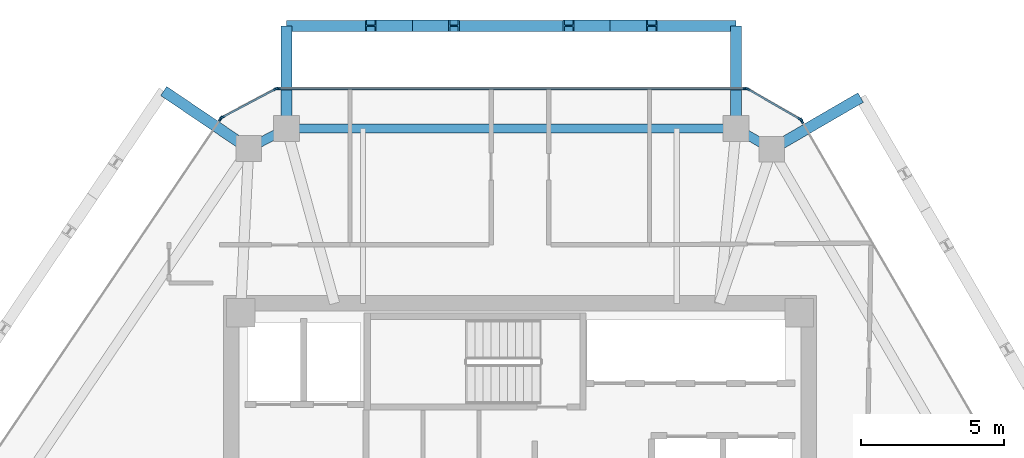
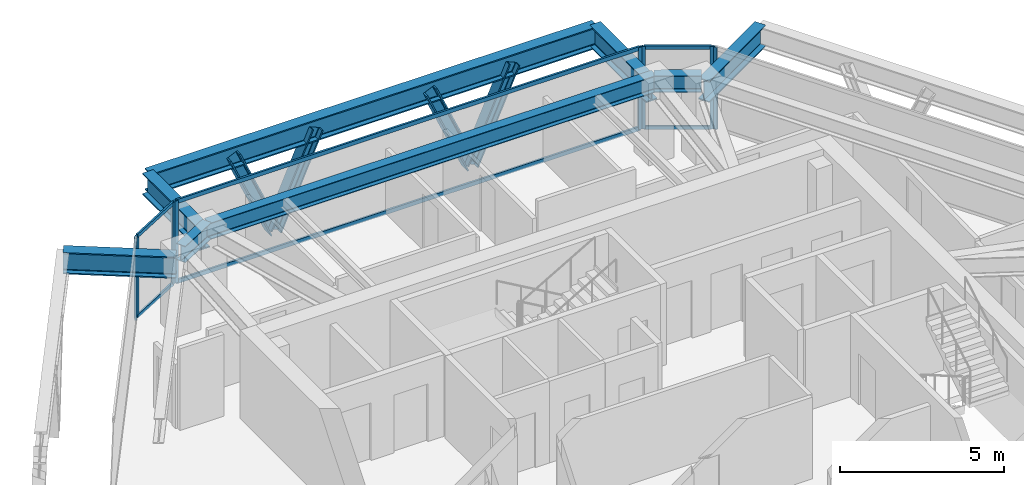
# One storey, part 6 of 11: 18 members, 8 beams, 5 elements without a shape of their own.
"""IFC4 building model written with IfcOpenShell, lengths in metres."""

from ifc_helpers import new_model, si_unit, direction, frame, origin, origin_2d, place, context, subcontext, project, spatial, rectangle, i_section, extrude, source, transform, mapped, material, layer, layer_set, material_profile, profile_set, type_object, type_shapes, element, aggregate, save


model = new_model("IFC4")

# Units and contexts
model_context = context("Model", 3, precision=1e-05, world=origin(), true_north=direction((0.0, 1.0)))
body_context = subcontext(model_context, "Body", "Model", "MODEL_VIEW")
ifc_project = project(units=[si_unit("LENGTHUNIT", "METRE"), si_unit("AREAUNIT", "SQUARE_METRE"), si_unit("VOLUMEUNIT", "CUBIC_METRE"), si_unit("PLANEANGLEUNIT", "RADIAN"), si_unit("MASSUNIT", "GRAM", prefix="KILO")], contexts=[model_context])

# Site, building, storey
site_placement = place(None, origin())
site = spatial("IfcSite", under=ifc_project, at=site_placement, CompositionType="ELEMENT")
building_placement = place(site_placement, origin())
building = spatial("IfcBuilding", under=site, at=building_placement, Name="Durnholm Broadcast Tower", CompositionType="ELEMENT")
storey_placement = place(building_placement, frame((0.0, 0.0, 231.5)))
storey = spatial("IfcBuildingStorey", under=building, at=storey_placement, Name="L64", CompositionType="ELEMENT", Elevation=231.5)

# Beams
ifc_material_1 = material(Name="Steel ASTM A992 Grade 50", Category="steel")
ifc_material_profile_1 = material_profile(ifc_material_1, i_section(OverallWidth=0.385009765625, OverallDepth=0.802978515625, WebThickness=0.023681640625, FlangeThickness=0.0419921875, FilletRadius=0.032958984375, at=origin_2d()), Name="W30X261")
ifc_profile_set_1 = profile_set([ifc_material_profile_1], Name="Steel ASTM A992 Grade 50")
beam_type_1 = type_object("IfcBeamType", Name="BM-EXO-TIE", PredefinedType="USERDEFINED", material=ifc_profile_set_1)
shared_shape_1 = source(origin(), body_context, "Body", "SweptSolid", [
    extrude(i_section(OverallWidth=0.385009765625, OverallDepth=0.802978515625, WebThickness=0.023681640625, FlangeThickness=0.0419921875, FilletRadius=0.032958984375, at=origin_2d()), origin(), (0.0, 0.0, 1.0), 3.4560546875),
])
for number, where, z_axis, x_axis, name in (
    (1, (7.57958984375, 14.406005859375, 2.30859375), (0.0, 1.0, 0.0), (-1.0, 0.0, 0.0), "L64 exoskeleton stand-off tie bracket F4.1"),
    (2, (-8.187744140625, 14.406005859375, 2.30859375), (0.0, 1.0, 0.0), (-1.0, 0.0, 0.0), "L64 exoskeleton stand-off tie bracket F4.2"),
):
    element("IfcBeam", number, at=place(storey_placement, frame(where, z_axis=z_axis, x_axis=x_axis)), inside=storey, type_object=beam_type_1, Name=name, ObjectType="GIRDER", PredefinedType="USERDEFINED", context=body_context, shape_type="MappedRepresentation", body=[
        mapped(shared_shape_1, transform((0.0, 0.0, 0.0), x_axis=(1.0, 0.0, 0.0), y_axis=(0.0, 1.0, 0.0), z_axis=(0.0, 0.0, 1.0), scale=1.0)),
    ])
shared_shape_2 = source(origin(), body_context, "Body", "SweptSolid", [
    extrude(i_section(OverallWidth=0.385009765625, OverallDepth=0.802978515625, WebThickness=0.023681640625, FlangeThickness=0.0419921875, FilletRadius=0.032958984375, at=origin_2d()), origin(), (0.0, 0.0, 1.0), 3.455810546875),
])
for number, where, z_axis, x_axis, name in (
    (3, (8.9619140625, 13.610107421875, 2.30859375), (0.864906682814, 0.501932694715, 0.0), (-0.501932694715, 0.864906682814, 0.0), "L64 exoskeleton stand-off tie bracket F3.2"),
    (4, (-9.63427734375, 13.637939453125, 2.30859375), (-0.828446342252, 0.560068440469, 0.0), (-0.560068440469, -0.828446342252, 0.0), "L64 exoskeleton stand-off tie bracket F5.1"),
):
    element("IfcBeam", number, at=place(storey_placement, frame(where, z_axis=z_axis, x_axis=x_axis)), inside=storey, type_object=beam_type_1, Name=name, ObjectType="GIRDER", PredefinedType="USERDEFINED", context=body_context, shape_type="MappedRepresentation", body=[
        mapped(shared_shape_2, transform((0.0, 0.0, 0.0), x_axis=(1.0, 0.0, 0.0), y_axis=(0.0, 1.0, 0.0), z_axis=(0.0, 0.0, 1.0), scale=1.0)),
    ])
ifc_material_profile_2 = material_profile(ifc_material_1, i_section(OverallWidth=0.3251953125, OverallDepth=0.6162109375, WebThickness=0.013916015625, FlangeThickness=0.021484375, FilletRadius=0.02783203125, at=origin_2d()), Name="W24X117")
ifc_profile_set_2 = profile_set([ifc_material_profile_2], Name="Steel ASTM A992 Grade 50")
beam_type_2 = type_object("IfcBeamType", Name="STL-SP-W24X117", PredefinedType="SPANDREL", material=ifc_profile_set_2)
shared_shape_3 = source(origin(), body_context, "Body", "SweptSolid", [
    extrude(i_section(OverallWidth=0.3251953125, OverallDepth=0.6162109375, WebThickness=0.013916015625, FlangeThickness=0.021484375, FilletRadius=0.02783203125, at=origin_2d()), origin(), (0.0, 0.0, 1.0), 1.502685546875),
])
beam_1_placement = place(storey_placement, frame((-9.514892578125, 13.557373046875, 2.73681640625), z_axis=(0.883241909673, 0.468917614296, 0.0), x_axis=(-0.468917614296, 0.883241909673, 0.0)))
element("IfcBeam", 5, at=beam_1_placement, inside=storey, type_object=beam_type_2, Name="L64 perimeter spandrel girder 04", PredefinedType="SPANDREL", context=body_context, shape_type="MappedRepresentation", body=[
    mapped(shared_shape_3, transform((0.0, 0.0, 0.0), x_axis=(1.0, 0.0, 0.0), y_axis=(0.0, 1.0, 0.0), z_axis=(0.0, 0.0, 1.0), scale=1.0)),
])
shared_shape_4 = source(origin(), body_context, "Body", "SweptSolid", [
    extrude(i_section(OverallWidth=0.3251953125, OverallDepth=0.6162109375, WebThickness=0.013916015625, FlangeThickness=0.021484375, FilletRadius=0.02783203125, at=origin_2d()), origin(), (0.0, 0.0, 1.0), 15.767333984375),
])
beam_2_placement = place(storey_placement, frame((-8.187744140625, 14.261962890625, 2.73681640625), z_axis=(1.0, 0.0, 0.0), x_axis=(0.0, 1.0, 0.0)))
element("IfcBeam", 6, at=beam_2_placement, inside=storey, type_object=beam_type_2, Name="L64 perimeter spandrel girder 05", PredefinedType="SPANDREL", context=body_context, shape_type="MappedRepresentation", body=[
    mapped(shared_shape_4, transform((0.0, 0.0, 0.0), x_axis=(1.0, 0.0, 0.0), y_axis=(0.0, 1.0, 0.0), z_axis=(0.0, 0.0, 1.0), scale=1.0)),
])
shared_shape_5 = source(origin(), body_context, "Body", "SweptSolid", [
    extrude(i_section(OverallWidth=0.3251953125, OverallDepth=0.6162109375, WebThickness=0.013916015625, FlangeThickness=0.021484375, FilletRadius=0.02783203125, at=origin_2d()), origin(), (0.0, 0.0, 1.0), 1.451416015625),
])
type_shapes(beam_type_2, [shared_shape_3, shared_shape_4, shared_shape_5])
beam_3_placement = place(storey_placement, frame((7.57958984375, 14.261962890625, 2.73681640625), z_axis=(0.866571760088, -0.499052486836, 0.0), x_axis=(0.499052486836, 0.866571760088, 0.0)))
element("IfcBeam", 7, at=beam_3_placement, inside=storey, type_object=beam_type_2, Name="L64 perimeter spandrel girder 06", PredefinedType="SPANDREL", context=body_context, shape_type="MappedRepresentation", body=[
    mapped(shared_shape_5, transform((0.0, 0.0, 0.0), x_axis=(1.0, 0.0, 0.0), y_axis=(0.0, 1.0, 0.0), z_axis=(0.0, 0.0, 1.0), scale=1.0)),
])
shared_shape_6 = source(origin(), body_context, "Body", "SweptSolid", [
    extrude(i_section(OverallWidth=0.385009765625, OverallDepth=0.802978515625, WebThickness=0.023681640625, FlangeThickness=0.0419921875, FilletRadius=0.032958984375, at=origin_2d()), origin(), (0.0, 0.0, 1.0), 15.767333984375),
])
type_shapes(beam_type_1, [shared_shape_1, shared_shape_2, shared_shape_6])
beam_4_placement = place(storey_placement, frame((7.57958984375, 17.862060546875, 2.30859375), z_axis=(-1.0, 0.0, 0.0), x_axis=(0.0, -1.0, 0.0)))
element("IfcBeam", 8, at=beam_4_placement, inside=storey, type_object=beam_type_1, Name="L64 exoskeleton collector spandrel F4", PredefinedType="SPANDREL", context=body_context, shape_type="MappedRepresentation", body=[
    mapped(shared_shape_6, transform((0.0, 0.0, 0.0), x_axis=(1.0, 0.0, 0.0), y_axis=(0.0, 1.0, 0.0), z_axis=(0.0, 0.0, 1.0), scale=1.0)),
])

# Members
ifc_material_2 = material(Name="Steel ASTM A913 Grade 65", Category="steel")
ifc_material_profile_3 = material_profile(ifc_material_2, i_section(OverallWidth=0.40625, OverallDepth=0.416015625, WebThickness=0.02978515625, FlangeThickness=0.048095703125, FilletRadius=0.030517578125, at=origin_2d()), Name="W14X257")
ifc_profile_set_3 = profile_set([ifc_material_profile_3], Name="Steel ASTM A913 Grade 65")
member_type_1 = type_object("IfcMemberType", Name="STL-DG-W14X257", PredefinedType="BRACE", material=ifc_profile_set_3)
shared_shape_7 = source(origin(), body_context, "Body", "SweptSolid", [
    extrude(i_section(OverallWidth=0.40625, OverallDepth=0.416015625, WebThickness=0.02978515625, FlangeThickness=0.048095703125, FilletRadius=0.030517578125, at=origin_2d()), origin(), (0.0, 0.0, 1.0), 3.60791015625),
])
for number, where, z_axis, x_axis, name in (
    (9, (3.164794921875, 17.862060546875, -0.991455078125), (0.404184914295, 0.0, 0.914677295584), (0.0, 1.0, 0.0), "L64 stand-off diagrid brace F4.D1.1"),
    (10, (3.164794921875, 17.862060546875, -0.991455078125), (-0.404184914295, 0.0, 0.914677295584), (0.0, -1.0, 0.0), "L64 stand-off diagrid brace F4.D1.2"),
    (11, (-3.772705078125, 17.862060546875, -0.991455078125), (-0.404184914295, 0.0, 0.914677295584), (0.0, -1.0, 0.0), "L64 stand-off diagrid brace F4.D2.2"),
):
    element("IfcMember", number, at=place(storey_placement, frame(where, z_axis=z_axis, x_axis=x_axis)), inside=storey, type_object=member_type_1, Name=name, PredefinedType="BRACE", context=body_context, shape_type="MappedRepresentation", body=[
        mapped(shared_shape_7, transform((0.0, 0.0, 0.0), x_axis=(1.0, 0.0, 0.0), y_axis=(0.0, 1.0, 0.0), z_axis=(0.0, 0.0, 1.0), scale=1.0)),
    ])
shared_shape_8 = source(origin(), body_context, "Body", "SweptSolid", [
    extrude(i_section(OverallWidth=0.40625, OverallDepth=0.416015625, WebThickness=0.02978515625, FlangeThickness=0.048095703125, FilletRadius=0.030517578125, at=origin_2d()), origin(), (0.0, 0.0, 1.0), 3.607666015625),
])
type_shapes(member_type_1, [shared_shape_7, shared_shape_8])
member_1_placement = place(storey_placement, frame((-3.772705078125, 17.862060546875, -0.991455078125), z_axis=(0.404128298032, 0.0, 0.914702311536), x_axis=(0.0, 1.0, 0.0)))
element("IfcMember", 12, at=member_1_placement, inside=storey, type_object=member_type_1, Name="L64 stand-off diagrid brace F4.D2.1", PredefinedType="BRACE", context=body_context, shape_type="MappedRepresentation", body=[
    mapped(shared_shape_8, transform((0.0, 0.0, 0.0), x_axis=(1.0, 0.0, 0.0), y_axis=(0.0, 1.0, 0.0), z_axis=(0.0, 0.0, 1.0), scale=1.0)),
])

# Curtain wall, members
ifc_material_3 = material(Name="Aluminium and Solar Control IGU", Category="aluminium")
ifc_layer_1 = layer(ifc_material_3, 0.1650390625)
ifc_layer_set_1 = layer_set([ifc_layer_1], Name="Aluminium and Solar Control IGU")
curtain_wall_type_1 = type_object("IfcCurtainWallType", Name="CW-SYS-5", PredefinedType="NOTDEFINED", material=ifc_layer_set_1)
curtain_wall_1_placement = place(storey_placement, origin())
curtain_wall_1 = element("IfcCurtainWall", 13, at=curtain_wall_1_placement, inside=storey, type_object=curtain_wall_type_1, Name="L64 curtain wall CW-CORNER CW-L64-CRN-03", PredefinedType="NOTDEFINED")
ifc_material_4 = material(Name="Aluminium 6063-T6", Category="aluminium")
ifc_material_profile_4 = material_profile(ifc_material_4, rectangle(XDim=0.06494140625, YDim=0.1298828125, at=origin_2d()), Name="CWT65X130")
ifc_profile_set_4 = profile_set([ifc_material_profile_4], Name="Aluminium 6063-T6")
member_type_2 = type_object("IfcMemberType", Name="CW-SYS-5-TRN", PredefinedType="USERDEFINED", material=ifc_profile_set_4)
shared_shape_9 = source(origin(), body_context, "Body", "SweptSolid", [
    extrude(rectangle(XDim=0.06494140625, YDim=0.1298828125, at=origin_2d()), origin(), (0.0, 0.0, 1.0), 2.070068359375),
])
type_shapes(member_type_2, [shared_shape_9])
member_2_placement = place(storey_placement, frame((-10.421875, 14.66064453125, 0.032470703125), z_axis=(0.883164581026, 0.469063239682, 0.0), x_axis=(-0.469063239682, 0.883164581026, 0.0)))
member_2 = element("IfcMember", 14, at=member_2_placement, type_object=member_type_2, Name="CW-CORNER transom 1.1", ObjectType="TRANSOM", PredefinedType="USERDEFINED", context=body_context, shape_type="MappedRepresentation", body=[
    mapped(shared_shape_9, transform((0.0, 0.0, 0.0), x_axis=(1.0, 0.0, 0.0), y_axis=(0.0, 1.0, 0.0), z_axis=(0.0, 0.0, 1.0), scale=1.0)),
])
member_3_placement = place(storey_placement, frame((-10.421875, 14.66064453125, 3.027587890625), z_axis=(0.883164581026, 0.469063239682, 0.0), x_axis=(-0.469063239682, 0.883164581026, 0.0)))
member_3 = element("IfcMember", 15, at=member_3_placement, type_object=member_type_2, Name="CW-CORNER transom 1.2", ObjectType="TRANSOM", PredefinedType="USERDEFINED", context=body_context, shape_type="MappedRepresentation", body=[
    mapped(shared_shape_9, transform((0.0, 0.0, 0.0), x_axis=(1.0, 0.0, 0.0), y_axis=(0.0, 1.0, 0.0), z_axis=(0.0, 0.0, 1.0), scale=1.0)),
])

curtain_wall_2_placement = place(storey_placement, origin())
curtain_wall_2 = element("IfcCurtainWall", 16, at=curtain_wall_2_placement, inside=storey, type_object=curtain_wall_type_1, Name="L64 curtain wall CW-CORNER CW-L64-CRN-05", PredefinedType="NOTDEFINED")
member_4_placement = place(storey_placement, frame((8.01025390625, 15.629638671875, 0.032470703125), z_axis=(0.866525076636, -0.499133540809, 0.0), x_axis=(0.499133540809, 0.866525076636, 0.0)))
member_4 = element("IfcMember", 17, at=member_4_placement, type_object=member_type_2, Name="CW-CORNER transom 1.1", ObjectType="TRANSOM", PredefinedType="USERDEFINED", context=body_context, shape_type="MappedRepresentation", body=[
    mapped(shared_shape_9, transform((0.0, 0.0, 0.0), x_axis=(1.0, 0.0, 0.0), y_axis=(0.0, 1.0, 0.0), z_axis=(0.0, 0.0, 1.0), scale=1.0)),
])
member_5_placement = place(storey_placement, frame((8.01025390625, 15.629638671875, 3.027587890625), z_axis=(0.866525076636, -0.499133540809, 0.0), x_axis=(0.499133540809, 0.866525076636, 0.0)))
member_5 = element("IfcMember", 18, at=member_5_placement, type_object=member_type_2, Name="CW-CORNER transom 1.2", ObjectType="TRANSOM", PredefinedType="USERDEFINED", context=body_context, shape_type="MappedRepresentation", body=[
    mapped(shared_shape_9, transform((0.0, 0.0, 0.0), x_axis=(1.0, 0.0, 0.0), y_axis=(0.0, 1.0, 0.0), z_axis=(0.0, 0.0, 1.0), scale=1.0)),
])

# Member
ifc_material_profile_5 = material_profile(ifc_material_4, rectangle(XDim=0.06494140625, YDim=0.1650390625, at=origin_2d()), Name="CWM65X165")
ifc_profile_set_5 = profile_set([ifc_material_profile_5], Name="Aluminium 6063-T6")
member_type_3 = type_object("IfcMemberType", Name="CW-SYS-5-MUL", PredefinedType="MULLION", material=ifc_profile_set_5)
shared_shape_10 = source(origin(), body_context, "Body", "SweptSolid", [
    extrude(rectangle(XDim=0.06494140625, YDim=0.1650390625, at=origin_2d()), origin(), (0.0, 0.0, 1.0), 3.06005859375),
])
type_shapes(member_type_3, [shared_shape_10])
member_6_placement = place(storey_placement, frame((-10.45068359375, 14.6455078125, 0.0), z_axis=(0.0, 0.0, 1.0), x_axis=(-0.469006771575, 0.883194569853, 0.0)))
member_6 = element("IfcMember", 19, at=member_6_placement, type_object=member_type_3, Name="CW-CORNER mullion 1", PredefinedType="MULLION", context=body_context, shape_type="MappedRepresentation", body=[
    mapped(shared_shape_10, transform((0.0, 0.0, 0.0), x_axis=(1.0, 0.0, 0.0), y_axis=(0.0, 1.0, 0.0), z_axis=(0.0, 0.0, 1.0), scale=1.0)),
])

member_7_placement = place(storey_placement, frame((-8.565185546875, 15.646728515625, 0.0), z_axis=(0.0, 0.0, 1.0), x_axis=(-0.469006771575, 0.883194569853, 0.0)))
member_7 = element("IfcMember", 20, at=member_7_placement, type_object=member_type_3, Name="CW-CORNER mullion 2", PredefinedType="MULLION", context=body_context, shape_type="MappedRepresentation", body=[
    mapped(shared_shape_10, transform((0.0, 0.0, 0.0), x_axis=(1.0, 0.0, 0.0), y_axis=(0.0, 1.0, 0.0), z_axis=(0.0, 0.0, 1.0), scale=1.0)),
])

aggregate(curtain_wall_1, [member_6, member_7, member_2, member_3])

member_8_placement = place(storey_placement, frame((7.982177734375, 15.645751953125, 0.0), z_axis=(0.0, 0.0, 1.0), x_axis=(0.499058582333, 0.866568249707, 0.0)))
member_8 = element("IfcMember", 21, at=member_8_placement, type_object=member_type_3, Name="CW-CORNER mullion 1", PredefinedType="MULLION", context=body_context, shape_type="MappedRepresentation", body=[
    mapped(shared_shape_10, transform((0.0, 0.0, 0.0), x_axis=(1.0, 0.0, 0.0), y_axis=(0.0, 1.0, 0.0), z_axis=(0.0, 0.0, 1.0), scale=1.0)),
])

member_9_placement = place(storey_placement, frame((9.832275390625, 14.580322265625, 0.0), z_axis=(0.0, 0.0, 1.0), x_axis=(0.499058582333, 0.866568249707, 0.0)))
member_9 = element("IfcMember", 22, at=member_9_placement, type_object=member_type_3, Name="CW-CORNER mullion 2", PredefinedType="MULLION", context=body_context, shape_type="MappedRepresentation", body=[
    mapped(shared_shape_10, transform((0.0, 0.0, 0.0), x_axis=(1.0, 0.0, 0.0), y_axis=(0.0, 1.0, 0.0), z_axis=(0.0, 0.0, 1.0), scale=1.0)),
])

aggregate(curtain_wall_2, [member_8, member_9, member_4, member_5])

# Curtain wall, member
ifc_layer_2 = layer(ifc_material_3, 0.18994140625)
ifc_layer_set_2 = layer_set([ifc_layer_2], Name="Aluminium and Solar Control IGU")
curtain_wall_type_2 = type_object("IfcCurtainWallType", Name="CW-SYS-4", PredefinedType="NOTDEFINED", material=ifc_layer_set_2)
curtain_wall_3_placement = place(storey_placement, origin())
curtain_wall_3 = element("IfcCurtainWall", 23, at=curtain_wall_3_placement, inside=storey, type_object=curtain_wall_type_2, Name="L64 curtain wall CW-Z34-VIS CW-L64-F02", PredefinedType="NOTDEFINED")
ifc_material_profile_6 = material_profile(ifc_material_4, rectangle(XDim=0.070068359375, YDim=0.18994140625, at=origin_2d()), Name="CWM70X190")
ifc_profile_set_6 = profile_set([ifc_material_profile_6], Name="Aluminium 6063-T6")
member_type_4 = type_object("IfcMemberType", Name="CW-SYS-4-MUL", PredefinedType="MULLION", material=ifc_profile_set_6)
shared_shape_11 = source(origin(), body_context, "Body", "SweptSolid", [
    extrude(rectangle(XDim=0.070068359375, YDim=0.18994140625, at=origin_2d()), origin(), (0.0, 0.0, 1.0), 3.06005859375),
])
type_shapes(member_type_4, [shared_shape_11])
member_10_placement = place(storey_placement, frame((-10.4990234375, 14.601318359375, 0.0), z_axis=(0.0, 0.0, 1.0), x_axis=(-0.828443431662, 0.560072745753, 0.0)))
member_10 = element("IfcMember", 24, at=member_10_placement, type_object=member_type_4, Name="CW-Z34-VIS mullion 2", PredefinedType="MULLION", context=body_context, shape_type="MappedRepresentation", body=[
    mapped(shared_shape_11, transform((0.0, 0.0, 0.0), x_axis=(1.0, 0.0, 0.0), y_axis=(0.0, 1.0, 0.0), z_axis=(0.0, 0.0, 1.0), scale=1.0)),
])
aggregate(curtain_wall_3, [member_10])

# Curtain wall, members
curtain_wall_4_placement = place(storey_placement, origin())
curtain_wall_4 = element("IfcCurtainWall", 25, at=curtain_wall_4_placement, inside=storey, type_object=curtain_wall_type_2, Name="L64 curtain wall CW-Z34-VIS CW-L64-F04", PredefinedType="NOTDEFINED")
member_11_placement = place(storey_placement, frame((-8.50146484375, 15.662109375, 0.0), z_axis=(0.0, 0.0, 1.0), x_axis=(0.0, 1.0, 0.0)))
member_11 = element("IfcMember", 26, at=member_11_placement, type_object=member_type_4, Name="CW-Z34-VIS mullion 1", PredefinedType="MULLION", context=body_context, shape_type="MappedRepresentation", body=[
    mapped(shared_shape_11, transform((0.0, 0.0, 0.0), x_axis=(1.0, 0.0, 0.0), y_axis=(0.0, 1.0, 0.0), z_axis=(0.0, 0.0, 1.0), scale=1.0)),
])
member_12_placement = place(storey_placement, frame((7.9189453125, 15.662109375, 0.0), z_axis=(0.0, 0.0, 1.0), x_axis=(0.0, 1.0, 0.0)))
member_12 = element("IfcMember", 27, at=member_12_placement, type_object=member_type_4, Name="CW-Z34-VIS mullion 2", PredefinedType="MULLION", context=body_context, shape_type="MappedRepresentation", body=[
    mapped(shared_shape_11, transform((0.0, 0.0, 0.0), x_axis=(1.0, 0.0, 0.0), y_axis=(0.0, 1.0, 0.0), z_axis=(0.0, 0.0, 1.0), scale=1.0)),
])

# Curtain wall, member
curtain_wall_5_placement = place(storey_placement, origin())
curtain_wall_5 = element("IfcCurtainWall", 28, at=curtain_wall_5_placement, inside=storey, type_object=curtain_wall_type_2, Name="L64 curtain wall CW-Z34-VIS CW-L64-F06", PredefinedType="NOTDEFINED")
member_13_placement = place(storey_placement, frame((9.8779296875, 14.533935546875, 0.0), z_axis=(0.0, 0.0, 1.0), x_axis=(0.864899883824, 0.50194441023, 0.0)))
member_13 = element("IfcMember", 29, at=member_13_placement, type_object=member_type_4, Name="CW-Z34-VIS mullion 1", PredefinedType="MULLION", context=body_context, shape_type="MappedRepresentation", body=[
    mapped(shared_shape_11, transform((0.0, 0.0, 0.0), x_axis=(1.0, 0.0, 0.0), y_axis=(0.0, 1.0, 0.0), z_axis=(0.0, 0.0, 1.0), scale=1.0)),
])
aggregate(curtain_wall_5, [member_13])

# Member
ifc_material_profile_7 = material_profile(ifc_material_4, rectangle(XDim=0.070068359375, YDim=0.14990234375, at=origin_2d()), Name="CWT70X150")
ifc_profile_set_7 = profile_set([ifc_material_profile_7], Name="Aluminium 6063-T6")
member_type_5 = type_object("IfcMemberType", Name="CW-SYS-4-TRN", PredefinedType="USERDEFINED", material=ifc_profile_set_7)
shared_shape_12 = source(origin(), body_context, "Body", "SweptSolid", [
    extrude(rectangle(XDim=0.070068359375, YDim=0.14990234375, at=origin_2d()), origin(), (0.0, 0.0, 1.0), 16.350341796875),
])
type_shapes(member_type_5, [shared_shape_12])
member_14_placement = place(storey_placement, frame((-8.46630859375, 15.662109375, 0.034912109375), z_axis=(1.0, 0.0, 0.0), x_axis=(0.0, 1.0, 0.0)))
member_14 = element("IfcMember", 30, at=member_14_placement, type_object=member_type_5, Name="CW-Z34-VIS transom 1.1", ObjectType="TRANSOM", PredefinedType="USERDEFINED", context=body_context, shape_type="MappedRepresentation", body=[
    mapped(shared_shape_12, transform((0.0, 0.0, 0.0), x_axis=(1.0, 0.0, 0.0), y_axis=(0.0, 1.0, 0.0), z_axis=(0.0, 0.0, 1.0), scale=1.0)),
])

member_15_placement = place(storey_placement, frame((-8.46630859375, 15.662109375, 3.02490234375), z_axis=(1.0, 0.0, 0.0), x_axis=(0.0, 1.0, 0.0)))
member_15 = element("IfcMember", 31, at=member_15_placement, type_object=member_type_5, Name="CW-Z34-VIS transom 1.2", ObjectType="TRANSOM", PredefinedType="USERDEFINED", context=body_context, shape_type="MappedRepresentation", body=[
    mapped(shared_shape_12, transform((0.0, 0.0, 0.0), x_axis=(1.0, 0.0, 0.0), y_axis=(0.0, 1.0, 0.0), z_axis=(0.0, 0.0, 1.0), scale=1.0)),
])

aggregate(curtain_wall_4, [member_11, member_12, member_14, member_15])

save(model, "model.ifc")
